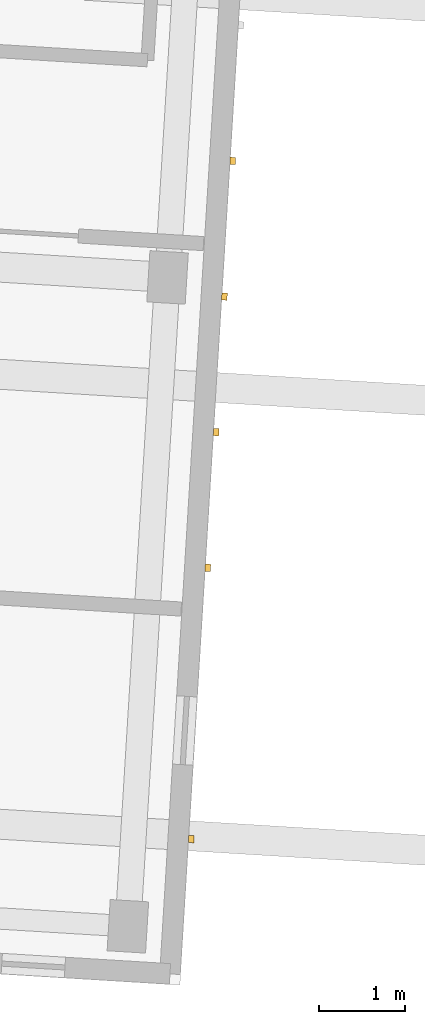
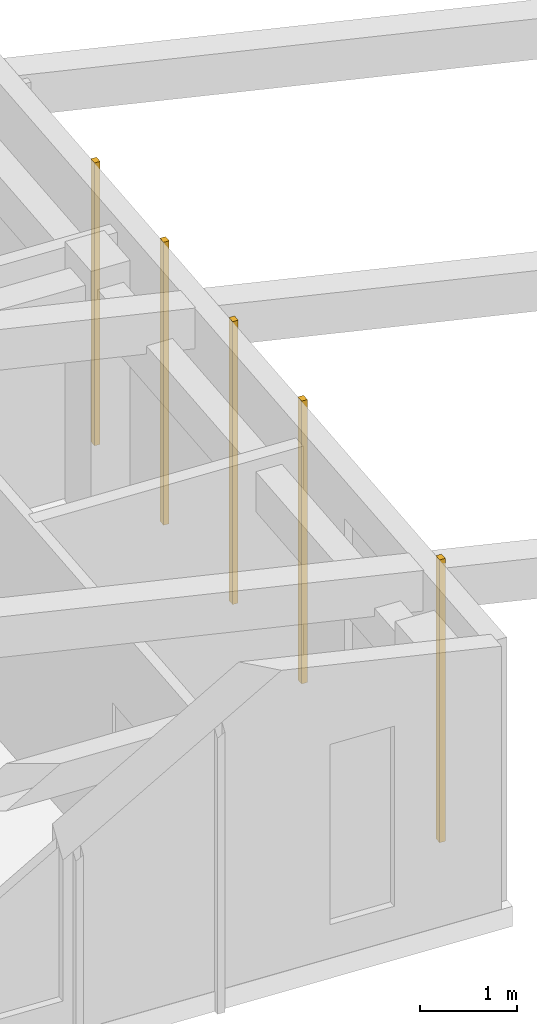
# One storey, part 44 of 56: 5 coverings.
"""IFC4 building model written with IfcOpenShell, lengths in metres."""

from ifc_helpers import new_model, si_unit, direction, frame, origin, origin_2d, place, context, subcontext, project, spatial, rectangle, extrude, material, layer, layer_set, type_object, element, save


model = new_model("IFC4")

# Units and contexts
model_context = context("Model", 3, precision=1e-05, world=origin(), true_north=direction((0.0, 1.0)))
body_context = subcontext(model_context, "Body", "Model", "MODEL_VIEW")
ifc_project = project(units=[si_unit("LENGTHUNIT", "METRE"), si_unit("AREAUNIT", "SQUARE_METRE"), si_unit("VOLUMEUNIT", "CUBIC_METRE"), si_unit("PLANEANGLEUNIT", "RADIAN"), si_unit("MASSUNIT", "GRAM", prefix="KILO")], contexts=[model_context])

# Site, building, storey
site_placement = place(None, origin())
site = spatial("IfcSite", under=ifc_project, at=site_placement, CompositionType="ELEMENT")
building_placement = place(site_placement, origin())
building = spatial("IfcBuilding", under=site, at=building_placement, Name="Kestramere Prow Commons", CompositionType="ELEMENT")
storey_placement = place(building_placement, frame((0.0, 0.0, 27.89990234375)))
storey = spatial("IfcBuildingStorey", under=building, at=storey_placement, Name="L08", CompositionType="ELEMENT", Elevation=27.89990234375)

# Coverings
ifc_material = material(Name="Weathered Zinc-Titanium Standing-Seam Cladding")
ifc_layer = layer(ifc_material, 0.074951171875)
ifc_layer_set = layer_set([ifc_layer], Name="Weathered Zinc-Titanium Standing-Seam Cladding")
covering_type = type_object("IfcCoveringType", Name="COV-CLAD-SEAM", PredefinedType="CLADDING", material=ifc_layer_set)
for number, where, z_axis, x_axis, name in (
    (1, (98.655029296875, 53.127685546875, -0.25), (0.0, 0.0, 1.0), (-0.061048539535, -0.998134798422, 0.0), "EW-C-L08-EAV Standing-Seam Rib 7"),
    (2, (98.55810546875, 51.542236328125, -0.25), (0.0, 0.0, 1.0), (-0.061048539535, -0.998134798422, 0.0), "EW-C-L08-EAV Standing-Seam Rib 8"),
    (3, (98.461181640625, 49.956787109375, -0.25), (0.0, 0.0, 1.0), (-0.061048539535, -0.998134798422, 0.0), "EW-C-L08-EAV Standing-Seam Rib 9"),
    (4, (98.3642578125, 48.371337890625, -0.25), (0.0, 0.0, 1.0), (-0.061048539535, -0.998134798422, 0.0), "EW-C-L08-EAV Standing-Seam Rib 10"),
    (5, (98.170166015625, 45.2001953125, -0.25), (0.0, 0.0, 1.0), (-0.061048539535, -0.998134798422, 0.0), "EW-C-L08-EAV Standing-Seam Rib 12"),
):
    element("IfcCovering", number, at=place(storey_placement, frame(where, z_axis=z_axis, x_axis=x_axis)), inside=storey, type_object=covering_type, Name=name, PredefinedType="CLADDING", context=body_context, shape_type="SweptSolid", body=[
        extrude(rectangle(XDim=0.0849609375, YDim=0.06494140625, at=origin_2d()), origin(), (0.0, 0.0, 1.0), 3.54736328125),
    ])

save(model, "model.ifc")
